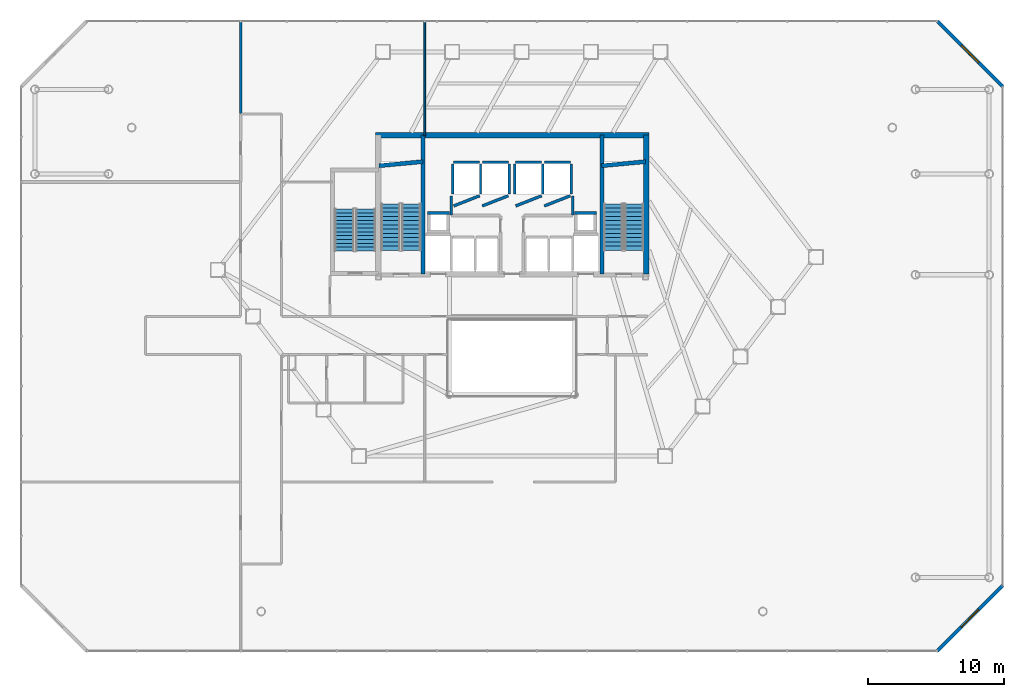
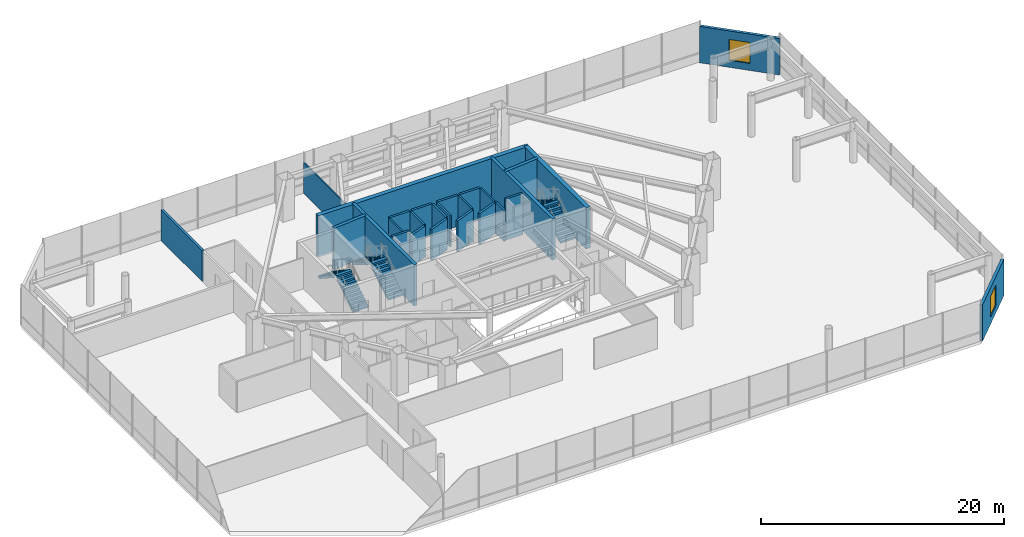
# One storey, part 36 of 37: 28 walls, 6 stair flights, 2 windows, 2 openings, 3 elements without a shape of their own.
"""IFC4 building model written with IfcOpenShell, lengths in metres."""

import ifcopenshell
import ifcopenshell.guid

model = None  # the IFC model being written
_history = None  # IfcOwnerHistory: only IFC2X3 demands one
_inside = {}  # id of a spatial element -> (the spatial element, [elements in it])
_under = {}  # id of a project, library or spatial element -> (it, [spatial elements below it])
_declared = {}  # id of a project -> (the project, [libraries it declares])
_typed = {}  # id of a type object -> (the type object, [elements of that type])
_made_of = {}  # id of a material, layer set ... -> (it, [elements and type objects made of it])


def new_model(schema):
    """Start an empty IFC model of exactly this schema.

    Asked for "IFC4X3", IfcOpenShell would pick the latest addendum, in which some entities
    have other attributes; the version numbers below select the first issue.
    IFC2X3 requires an IfcOwnerHistory on every rooted entity: one is made here for all.
    """
    global model, _history
    if schema == "IFC4X3":
        model = ifcopenshell.file(schema_version=(4, 3, 0, 0))
    else:
        model = ifcopenshell.file(schema=schema)
    _inside.clear()
    _under.clear()
    _declared.clear()
    _typed.clear()
    _made_of.clear()
    _history = None
    if model.schema == "IFC2X3":
        org = make("IfcOrganization", Name="unknown")
        user = make(
            "IfcPersonAndOrganization",
            ThePerson=make("IfcPerson", FamilyName="unknown"),
            TheOrganization=org,
        )
        app = make(
            "IfcApplication",
            ApplicationDeveloper=org,
            Version="unknown",
            ApplicationFullName="unknown",
            ApplicationIdentifier="unknown",
        )
        _history = make(
            "IfcOwnerHistory",
            OwningUser=user,
            OwningApplication=app,
            ChangeAction="ADDED",
            CreationDate=0,
        )
    return model


def make(cls, **values):
    """One entity of the class cls with the attributes given. An attribute that is None is left unset."""
    return model.create_entity(
        cls, **{name: value for name, value in values.items() if value is not None}
    )


def rooted(cls, **values):
    """An entity with a GlobalId (a new one), such as an element, a storey or a relation."""
    return make(cls, GlobalId=ifcopenshell.guid.new(), OwnerHistory=_history, **values)


def si_unit(unit_type, name, prefix=None):
    """IfcSIUnit, for example si_unit("LENGTHUNIT", "METRE", prefix="MILLI")."""
    return make("IfcSIUnit", UnitType=unit_type, Prefix=prefix, Name=name)


def assignment(units):
    """IfcUnitAssignment: the units of a project."""
    return None if units is None else make("IfcUnitAssignment", Units=units)


def point(xyz):
    """IfcCartesianPoint."""
    return None if xyz is None else make("IfcCartesianPoint", Coordinates=xyz)


def direction(xyz):
    """IfcDirection."""
    return None if xyz is None else make("IfcDirection", DirectionRatios=xyz)


def frame(location, z_axis=None, x_axis=None):
    """IfcAxis2Placement3D, a coordinate frame: its origin and axes. An axis left out is left unset."""
    return make(
        "IfcAxis2Placement3D",
        Location=point(location),
        Axis=direction(z_axis),
        RefDirection=direction(x_axis),
    )


def frame_2d(location, x_axis=None):
    """IfcAxis2Placement2D, a coordinate frame in the plane: its origin and x axis."""
    return make(
        "IfcAxis2Placement2D", Location=point(location), RefDirection=direction(x_axis)
    )


def origin():
    """The frame at (0, 0, 0) with its axes left unset."""
    return frame((0.0, 0.0, 0.0))


def place(relative_to, where):
    """IfcLocalPlacement: puts the frame where relative to a parent placement (None: the world)."""
    return make(
        "IfcLocalPlacement", PlacementRelTo=relative_to, RelativePlacement=where
    )


def context(
    kind, dimensions, precision=None, world=None, true_north=None, identifier=None
):
    """IfcGeometricRepresentationContext, for example the 3D "Model" context."""
    return make(
        "IfcGeometricRepresentationContext",
        ContextIdentifier=identifier,
        ContextType=kind,
        CoordinateSpaceDimension=dimensions,
        Precision=precision,
        WorldCoordinateSystem=world,
        TrueNorth=true_north,
    )


def subcontext(parent, identifier, kind, view, scale=None):
    """IfcGeometricRepresentationSubContext, for example "Body" below "Model"."""
    return make(
        "IfcGeometricRepresentationSubContext",
        ContextIdentifier=identifier,
        ContextType=kind,
        ParentContext=parent,
        TargetScale=scale,
        TargetView=view,
    )


def project(units=None, contexts=None):
    """IfcProject with its units and contexts."""
    return rooted(
        "IfcProject",
        Name="project",
        RepresentationContexts=contexts,
        UnitsInContext=assignment(units),
    )


def spatial(cls, under=None, at=None, **own):
    """A site, building, storey or space (cls), placed at a placement, below another one or the project."""
    s = rooted(cls, ObjectPlacement=at, **own)
    if under is not None:
        _under.setdefault(under.id(), (under, []))[1].append(s)
    return s


def polyline(points):
    """IfcPolyline through the points."""
    return make("IfcPolyline", Points=[point(p) for p in points])


def profile(cls, at=None, kind="AREA", **sizes):
    """A parametric profile (cls). Its sizes go by their IFC names, for example OverallWidth=200.0."""
    return make(cls, ProfileType=kind, Position=at, **sizes)


def rectangle(**sizes):
    """IfcRectangleProfileDef."""
    return profile("IfcRectangleProfileDef", **sizes)


def outline(outer, holes=None, kind="AREA"):
    """IfcArbitraryClosedProfileDef: a profile drawn as a closed curve; with holes, ...WithVoids."""
    if holes is None:
        return make("IfcArbitraryClosedProfileDef", ProfileType=kind, OuterCurve=outer)
    return make(
        "IfcArbitraryProfileDefWithVoids",
        ProfileType=kind,
        OuterCurve=outer,
        InnerCurves=holes,
    )


def extrude(swept, where, along, depth):
    """IfcExtrudedAreaSolid: the profile swept, set in the frame where, extruded along a direction by depth."""
    return make(
        "IfcExtrudedAreaSolid",
        SweptArea=swept,
        Position=where,
        ExtrudedDirection=direction(along),
        Depth=depth,
    )


def shape(context_of_items, identifier, shape_type, items):
    """IfcShapeRepresentation: the items that make up one representation, for example the "Body"."""
    return make(
        "IfcShapeRepresentation",
        ContextOfItems=context_of_items,
        RepresentationIdentifier=identifier,
        RepresentationType=shape_type,
        Items=items,
    )


def material(Name=None, Category=None):
    """IfcMaterial."""
    return make("IfcMaterial", Name=Name, Category=Category)


def layer(
    of_material, thickness, ventilated=None, Name=None, Category=None, Priority=None
):
    """IfcMaterialLayer: one layer of a wall or slab, of a material (None: an air gap)."""
    return make(
        "IfcMaterialLayer",
        Material=of_material,
        LayerThickness=thickness,
        IsVentilated=ventilated,
        Name=Name,
        Category=Category,
        Priority=Priority,
    )


def layer_set(layers, Name=None):
    """IfcMaterialLayerSet."""
    return make("IfcMaterialLayerSet", MaterialLayers=layers, LayerSetName=Name)


def made_of(thing, what):
    """Note that an element or type object is made of a material, layer set ...; save() writes the relation."""
    if what is not None:
        _made_of.setdefault(what.id(), (what, []))[1].append(thing)
    return thing


def type_object(cls, material=None, **own):
    """A type object (cls), such as IfcWallType, which elements share."""
    return made_of(rooted(cls, **own), material)


def element(
    cls,
    number,
    at=None,
    inside=None,
    cuts=None,
    type_object=None,
    material=None,
    context=None,
    identifier="Body",
    shape_type=None,
    held_by="IfcProductDefinitionShape",
    body=None,
    shapes=None,
    **own,
):
    """One element of the class cls, such as IfcWall. Its Tag is "e" and its number.

    at: its placement. inside: the storey or other place that contains it. cuts: it is an
    opening in that element (IfcRelVoidsElement). A single representation is given by context,
    identifier, shape_type and body (its items); several are given by shapes. held_by: the class
    of the entity that holds the representations. save() writes the other relations.
    """
    e = rooted(cls, Tag="e%d" % number, ObjectPlacement=at, **own)
    if body is not None:
        shapes = [shape(context, identifier, shape_type, body)]
    if shapes is not None:
        e.Representation = make(held_by, Representations=shapes)
    if inside is not None:
        _inside.setdefault(inside.id(), (inside, []))[1].append(e)
    if cuts is not None:
        rooted(
            "IfcRelVoidsElement", RelatingBuildingElement=cuts, RelatedOpeningElement=e
        )
    if type_object is not None:
        _typed.setdefault(type_object.id(), (type_object, []))[1].append(e)
    return made_of(e, material)


def fill(opening, filler):
    """IfcRelFillsElement: the door or window that sits in an opening."""
    return rooted(
        "IfcRelFillsElement",
        RelatingOpeningElement=opening,
        RelatedBuildingElement=filler,
    )


def aggregate(whole, parts):
    """IfcRelAggregates: a whole, such as a stair, and the parts it consists of."""
    return rooted("IfcRelAggregates", RelatingObject=whole, RelatedObjects=parts)


def save(model, path):
    """Write the relations noted so far, then the file.

    IfcRelAggregates (storeys below a building ...), IfcRelContainedInSpatialStructure (elements
    in a storey), IfcRelDefinesByType, IfcRelAssociatesMaterial and IfcRelDeclares: one each for
    every whole, place, type object, material and project.
    """
    for whole, parts in _under.values():
        aggregate(whole, parts)
    for where, things in _inside.values():
        rooted(
            "IfcRelContainedInSpatialStructure",
            RelatedElements=things,
            RelatingStructure=where,
        )
    for kind, things in _typed.values():
        rooted("IfcRelDefinesByType", RelatedObjects=things, RelatingType=kind)
    for what, things in _made_of.values():
        rooted("IfcRelAssociatesMaterial", RelatedObjects=things, RelatingMaterial=what)
    for by, libraries in _declared.values():
        rooted("IfcRelDeclares", RelatingContext=by, RelatedDefinitions=libraries)
    model.write(path)


model = new_model("IFC4")

# Units and contexts
model_context = context("Model", 3, precision=1e-05, world=origin(), true_north=direction((0.0, 1.0)))
body_context = subcontext(model_context, "Body", "Model", "MODEL_VIEW")
ifc_project = project(units=[si_unit("LENGTHUNIT", "METRE"), si_unit("AREAUNIT", "SQUARE_METRE"), si_unit("VOLUMEUNIT", "CUBIC_METRE"), si_unit("PLANEANGLEUNIT", "RADIAN"), si_unit("MASSUNIT", "GRAM", prefix="KILO")], contexts=[model_context])

# Site, building, storey
site_placement = place(None, origin())
site = spatial("IfcSite", under=ifc_project, at=site_placement, CompositionType="ELEMENT")
building_placement = place(site_placement, origin())
building = spatial("IfcBuilding", under=site, at=building_placement, Name="Zarrinselat Tower", CompositionType="ELEMENT")
storey_placement = place(building_placement, frame((0.0, 0.0, 9.52001953125)))
storey = spatial("IfcBuildingStorey", under=building, at=storey_placement, Name="L02", CompositionType="ELEMENT", Elevation=9.52001953125)

# Wall, opening, window
ifc_material_1 = material(Name="Honed Cream Travertine Stone", Category="masonry")
ifc_layer_1 = layer(ifc_material_1, 0.260009765625)
ifc_layer_set_1 = layer_set([ifc_layer_1], Name="Honed Cream Travertine Stone")
wall_type_1 = type_object("IfcWallType", Name="WAL-EXT-STONE-260", PredefinedType="STANDARD", material=ifc_layer_set_1)
wall_1_placement = place(storey_placement, frame((69.60009765625, 5.60009765625, 0.0), z_axis=(0.0, 0.0, 1.0), x_axis=(0.707106781187, 0.707106781187, 0.0)))
wall_1 = element("IfcWall", 1, at=wall_1_placement, inside=storey, type_object=wall_type_1, Name="L02 Chamfered Stone Corner Wall 1", PredefinedType="STANDARD", context=body_context, shape_type="SweptSolid", body=[
    extrude(rectangle(XDim=6.787841796875, YDim=0.260009765625, at=frame_2d((3.39404296875, 0.0))), origin(), (0.0, 0.0, 1.0), 3.64990234375),
])
opening_1_placement = place(wall_1_placement, frame((2.494140625, 0.0, 0.699951171875)))
opening_1 = element("IfcOpeningElement", 2, at=opening_1_placement, cuts=wall_1, Name="Opening WN-2", PredefinedType="OPENING", context=body_context, shape_type="SweptSolid", body=[
    extrude(rectangle(XDim=1.800048828125, YDim=2.10009765625, at=frame_2d((0.89990234375, 1.050048828125))), frame((0.0, 0.139892578125, 0.0), z_axis=(0.0, -1.0, 0.0), x_axis=(1.0, 0.0, 0.0)), (0.0, 0.0, 1.0), 0.280029296875),
])
ifc_material_2 = material(Name="Double Low-E Laminated Solar Glass", Category="glass")
window_type = type_object("IfcWindowType", Name="WIN-GALLERY-1800", PartitioningType="SINGLE_PANEL", PredefinedType="WINDOW", material=ifc_material_2)
window_1_placement = place(opening_1_placement, origin())
window_1 = element("IfcWindow", 3, at=window_1_placement, inside=storey, type_object=window_type, Name="L02 Corner Gallery Window 1", OverallHeight=2.10009765625, OverallWidth=1.800048828125, PartitioningType="SINGLE_PANEL", PredefinedType="WINDOW", context=body_context, shape_type="SweptSolid", body=[
    extrude(rectangle(XDim=1.800048828125, YDim=2.10009765625, at=frame_2d((0.89990234375, 1.050048828125))), frame((0.0, 0.030029296875, 0.0), z_axis=(0.0, -1.0, 0.0), x_axis=(1.0, 0.0, 0.0)), (0.0, 0.0, 1.0), 0.06005859375),
])
fill(opening_1, window_1)

wall_2_placement = place(storey_placement, frame((69.60009765625, 51.800048828125, 0.0), z_axis=(0.0, 0.0, 1.0), x_axis=(0.707088798028, -0.707124763888, 0.0)))
wall_2 = element("IfcWall", 4, at=wall_2_placement, inside=storey, type_object=wall_type_1, Name="L02 Chamfered Stone Corner Wall 3", PredefinedType="STANDARD", context=body_context, shape_type="SweptSolid", body=[
    extrude(rectangle(XDim=6.7880859375, YDim=0.260009765625, at=frame_2d((3.39404296875, 0.0))), origin(), (0.0, 0.0, 1.0), 3.64990234375),
])
opening_2_placement = place(wall_2_placement, frame((2.494140625, 0.0, 0.699951171875)))
opening_2 = element("IfcOpeningElement", 5, at=opening_2_placement, cuts=wall_2, Name="Opening WN-2", PredefinedType="OPENING", context=body_context, shape_type="SweptSolid", body=[
    extrude(rectangle(XDim=1.800048828125, YDim=2.10009765625, at=frame_2d((0.89990234375, 1.050048828125))), frame((0.0, 0.139892578125, 0.0), z_axis=(0.0, -1.0, 0.0), x_axis=(1.0, 0.0, 0.0)), (0.0, 0.0, 1.0), 0.280029296875),
])
window_2_placement = place(opening_2_placement, origin())
window_2 = element("IfcWindow", 6, at=window_2_placement, inside=storey, type_object=window_type, Name="L02 Corner Gallery Window 3", OverallHeight=2.10009765625, OverallWidth=1.800048828125, PartitioningType="SINGLE_PANEL", PredefinedType="WINDOW", context=body_context, shape_type="SweptSolid", body=[
    extrude(rectangle(XDim=1.800048828125, YDim=2.10009765625, at=frame_2d((0.89990234375, 1.050048828125))), frame((0.0, 0.030029296875, 0.0), z_axis=(0.0, -1.0, 0.0), x_axis=(1.0, 0.0, 0.0)), (0.0, 0.0, 1.0), 0.06005859375),
])
fill(opening_2, window_2)

# Walls
ifc_material_3 = material(Name="Concrete C40/50", Category="concrete")
ifc_layer_2 = layer(ifc_material_3, 0.199951171875)
ifc_layer_set_2 = layer_set([ifc_layer_2], Name="Concrete C40/50")
wall_type_2 = type_object("IfcWallType", Name="WAL-PART-PLANT", PredefinedType="PARTITIONING", material=ifc_layer_set_2)
for number, where, z_axis, x_axis, name in (
    (7, (33.949951171875, 37.570068359375, 0.0), (0.0, 0.0, 1.0), (0.0, 1.0, 0.0), "L02 Partition Wall 3"),
    (8, (42.85009765625, 37.570068359375, 0.0), (0.0, 0.0, 1.0), (0.0, 1.0, 0.0), "L02 Partition Wall 4"),
):
    element("IfcWall", number, at=place(storey_placement, frame(where, z_axis=z_axis, x_axis=x_axis)), inside=storey, type_object=wall_type_2, Name=name, PredefinedType="PARTITIONING", context=body_context, shape_type="SweptSolid", body=[
        extrude(rectangle(XDim=1.4150390625, YDim=0.199951171875, at=frame_2d((0.70751953125, 0.0))), origin(), (0.0, 0.0, 1.0), 3.096923828125),
    ])
wall_3_placement = place(storey_placement, frame((18.5, 45.02001953125, 0.0), z_axis=(0.0, 0.0, 1.0), x_axis=(0.0, 1.0, 0.0)))
element("IfcWall", 9, at=wall_3_placement, inside=storey, type_object=wall_type_2, Name="L02 Partition Wall 53", PredefinedType="PARTITIONING", context=body_context, shape_type="SweptSolid", body=[
    extrude(rectangle(XDim=6.764892578125, YDim=0.199951171875, at=frame_2d((3.38232421875, 0.0))), origin(), (0.0, 0.0, 1.0), 3.096923828125),
])
ifc_material_4 = material(Name="Fire-Rated Gypsum Board Partition", Category="gypsum")
ifc_layer_3 = layer(ifc_material_4, 0.1201171875)
ifc_layer_set_3 = layer_set([ifc_layer_3], Name="Fire-Rated Gypsum Board Partition")
wall_type_3 = type_object("IfcWallType", Name="WAL-PART-STD", PredefinedType="PARTITIONING", material=ifc_layer_set_3)
wall_4_placement = place(storey_placement, frame((32.0, 43.4150390625, 0.0), z_axis=(0.0, 0.0, 1.0), x_axis=(0.0, 1.0, 0.0)))
element("IfcWall", 10, at=wall_4_placement, inside=storey, type_object=wall_type_3, Name="L02 Partition Wall 48", PredefinedType="PARTITIONING", context=body_context, shape_type="SweptSolid", body=[
    extrude(rectangle(XDim=8.369873046875, YDim=0.1201171875, at=frame_2d((4.18505859375, 0.0))), origin(), (0.0, 0.0, 1.0), 3.096923828125),
])
ifc_material_5 = material(Name="Concrete C40/50", Category="concrete")
ifc_layer_4 = layer(ifc_material_5, 0.2099609375)
ifc_layer_set_4 = layer_set([ifc_layer_4], Name="Concrete C40/50")
wall_type_4 = type_object("IfcWallType", Name="WAL-SHAFT-210", PredefinedType="SOLIDWALL", material=ifc_layer_set_4)
wall_5_placement = place(storey_placement, frame((34.1201171875, 38.25, 0.0), z_axis=(0.0, 0.0, 1.0), x_axis=(0.930804993012, 0.36551616241, 0.0)))
element("IfcWall", 11, at=wall_5_placement, inside=storey, type_object=wall_type_4, Name="L02 Lift PL1 Front Shaft Wall", PredefinedType="SOLIDWALL", context=body_context, shape_type="SweptSolid", body=[
    extrude(rectangle(XDim=2.052001953125, YDim=0.2099609375, at=frame_2d((1.02587890625, 0.0))), origin(), (0.0, 0.0, 1.0), 3.112060546875),
])
wall_6_placement = place(storey_placement, frame((34.1201171875, 41.455078125, 0.0), z_axis=(0.0, 0.0, 1.0), x_axis=(1.0, 0.0, 0.0)))
element("IfcWall", 12, at=wall_6_placement, inside=storey, type_object=wall_type_4, Name="L02 Lift PL1 Rear Shaft Wall", PredefinedType="SOLIDWALL", context=body_context, shape_type="SweptSolid", body=[
    extrude(rectangle(XDim=1.909912109375, YDim=0.2099609375, at=frame_2d((0.955078125, 0.0))), origin(), (0.0, 0.0, 1.0), 3.112060546875),
])
for number, where, z_axis, x_axis, name in (
    (13, (34.050048828125, 39.1201171875, 0.0), (0.0, 0.0, 1.0), (0.0, 1.0, 0.0), "L02 Lift PL1 W Shaft Wall"),
    (14, (36.10009765625, 39.1201171875, 0.0), (0.0, 0.0, 1.0), (0.0, 1.0, 0.0), "L02 Lift PL1 E Shaft Wall"),
):
    element("IfcWall", number, at=place(storey_placement, frame(where, z_axis=z_axis, x_axis=x_axis)), inside=storey, type_object=wall_type_4, Name=name, PredefinedType="SOLIDWALL", context=body_context, shape_type="SweptSolid", body=[
        extrude(rectangle(XDim=2.2099609375, YDim=0.159912109375, at=frame_2d((1.10498046875, 0.0))), origin(), (0.0, 0.0, 1.0), 3.112060546875),
    ])
wall_7_placement = place(storey_placement, frame((36.219970703125, 38.25, 0.0), z_axis=(0.0, 0.0, 1.0), x_axis=(0.930804993012, 0.36551616241, 0.0)))
element("IfcWall", 15, at=wall_7_placement, inside=storey, type_object=wall_type_4, Name="L02 Lift PL2 Front Shaft Wall", PredefinedType="SOLIDWALL", context=body_context, shape_type="SweptSolid", body=[
    extrude(rectangle(XDim=2.052001953125, YDim=0.2099609375, at=frame_2d((1.02587890625, 0.0))), origin(), (0.0, 0.0, 1.0), 3.112060546875),
])
wall_8_placement = place(storey_placement, frame((36.219970703125, 41.455078125, 0.0), z_axis=(0.0, 0.0, 1.0), x_axis=(1.0, 0.0, 0.0)))
element("IfcWall", 16, at=wall_8_placement, inside=storey, type_object=wall_type_4, Name="L02 Lift PL2 Rear Shaft Wall", PredefinedType="SOLIDWALL", context=body_context, shape_type="SweptSolid", body=[
    extrude(rectangle(XDim=1.909912109375, YDim=0.2099609375, at=frame_2d((0.955078125, 0.0))), origin(), (0.0, 0.0, 1.0), 3.112060546875),
])
wall_9_placement = place(storey_placement, frame((38.199951171875, 39.1201171875, 0.0), z_axis=(0.0, 0.0, 1.0), x_axis=(0.0, 1.0, 0.0)))
element("IfcWall", 17, at=wall_9_placement, inside=storey, type_object=wall_type_4, Name="L02 Lift PL2 E Shaft Wall", PredefinedType="SOLIDWALL", context=body_context, shape_type="SweptSolid", body=[
    extrude(rectangle(XDim=2.2099609375, YDim=0.159912109375, at=frame_2d((1.10498046875, 0.0))), origin(), (0.0, 0.0, 1.0), 3.112060546875),
])
wall_10_placement = place(storey_placement, frame((38.669921875, 38.25, 0.0), z_axis=(0.0, 0.0, 1.0), x_axis=(0.930820886763, 0.3654756856, 0.0)))
element("IfcWall", 18, at=wall_10_placement, inside=storey, type_object=wall_type_4, Name="L02 Lift PL3 Front Shaft Wall", PredefinedType="SOLIDWALL", context=body_context, shape_type="SweptSolid", body=[
    extrude(rectangle(XDim=2.052001953125, YDim=0.2099609375, at=frame_2d((1.02587890625, 0.0))), origin(), (0.0, 0.0, 1.0), 3.112060546875),
])
wall_11_placement = place(storey_placement, frame((38.669921875, 41.455078125, 0.0), z_axis=(0.0, 0.0, 1.0), x_axis=(1.0, 0.0, 0.0)))
element("IfcWall", 19, at=wall_11_placement, inside=storey, type_object=wall_type_4, Name="L02 Lift PL3 Rear Shaft Wall", PredefinedType="SOLIDWALL", context=body_context, shape_type="SweptSolid", body=[
    extrude(rectangle(XDim=1.91015625, YDim=0.2099609375, at=frame_2d((0.955078125, 0.0))), origin(), (0.0, 0.0, 1.0), 3.112060546875),
])
for number, where, z_axis, x_axis, name in (
    (20, (38.60009765625, 39.1201171875, 0.0), (0.0, 0.0, 1.0), (0.0, 1.0, 0.0), "L02 Lift PL3 W Shaft Wall"),
    (21, (40.64990234375, 39.1201171875, 0.0), (0.0, 0.0, 1.0), (0.0, 1.0, 0.0), "L02 Lift PL3 E Shaft Wall"),
):
    element("IfcWall", number, at=place(storey_placement, frame(where, z_axis=z_axis, x_axis=x_axis)), inside=storey, type_object=wall_type_4, Name=name, PredefinedType="SOLIDWALL", context=body_context, shape_type="SweptSolid", body=[
        extrude(rectangle(XDim=2.2099609375, YDim=0.159912109375, at=frame_2d((1.10498046875, 0.0))), origin(), (0.0, 0.0, 1.0), 3.112060546875),
    ])
wall_12_placement = place(storey_placement, frame((40.77001953125, 38.25, 0.0), z_axis=(0.0, 0.0, 1.0), x_axis=(0.930804993012, 0.36551616241, 0.0)))
element("IfcWall", 22, at=wall_12_placement, inside=storey, type_object=wall_type_4, Name="L02 Lift PL4 Front Shaft Wall", PredefinedType="SOLIDWALL", context=body_context, shape_type="SweptSolid", body=[
    extrude(rectangle(XDim=2.052001953125, YDim=0.2099609375, at=frame_2d((1.02587890625, 0.0))), origin(), (0.0, 0.0, 1.0), 3.112060546875),
])
wall_13_placement = place(storey_placement, frame((40.77001953125, 41.455078125, 0.0), z_axis=(0.0, 0.0, 1.0), x_axis=(1.0, 0.0, 0.0)))
element("IfcWall", 23, at=wall_13_placement, inside=storey, type_object=wall_type_4, Name="L02 Lift PL4 Rear Shaft Wall", PredefinedType="SOLIDWALL", context=body_context, shape_type="SweptSolid", body=[
    extrude(rectangle(XDim=1.909912109375, YDim=0.2099609375, at=frame_2d((0.955078125, 0.0))), origin(), (0.0, 0.0, 1.0), 3.112060546875),
])
wall_14_placement = place(storey_placement, frame((42.75, 39.1201171875, 0.0), z_axis=(0.0, 0.0, 1.0), x_axis=(0.0, 1.0, 0.0)))
element("IfcWall", 24, at=wall_14_placement, inside=storey, type_object=wall_type_4, Name="L02 Lift PL4 E Shaft Wall", PredefinedType="SOLIDWALL", context=body_context, shape_type="SweptSolid", body=[
    extrude(rectangle(XDim=2.2099609375, YDim=0.159912109375, at=frame_2d((1.10498046875, 0.0))), origin(), (0.0, 0.0, 1.0), 3.112060546875),
])
for number, where, z_axis, x_axis, name in (
    (25, (32.2099609375, 37.7451171875, 0.0), (0.0, 0.0, 1.0), (1.0, 0.0, 0.0), "L02 Core Riser RSR-W N Shaft Wall"),
    (26, (42.989990234375, 37.7451171875, 0.0), (0.0, 0.0, 1.0), (1.0, 0.0, 0.0), "L02 Core Riser RSR-E N Shaft Wall"),
):
    element("IfcWall", number, at=place(storey_placement, frame(where, z_axis=z_axis, x_axis=x_axis)), inside=storey, type_object=wall_type_4, Name=name, PredefinedType="SOLIDWALL", context=body_context, shape_type="SweptSolid", body=[
        extrude(rectangle(XDim=1.60009765625, YDim=0.2099609375, at=frame_2d((0.800048828125, 0.0))), origin(), (0.0, 0.0, 1.0), 4.139892578125),
    ])
ifc_material_6 = material(Name="Concrete C40/50", Category="concrete")
ifc_layer_5 = layer(ifc_material_6, 0.300048828125)
ifc_layer_set_5 = layer_set([ifc_layer_5], Name="Concrete C40/50")
wall_type_5 = type_object("IfcWallType", Name="WAL-SHEAR-300", PredefinedType="SHEAR", material=ifc_layer_set_5)
for number, where, z_axis, x_axis, name in (
    (27, (31.8701171875, 33.25, 0.0), (0.0, 0.0, 1.0), (0.0, 1.0, 0.0), "L02 Core Shear Wall ST1E"),
    (28, (44.989990234375, 33.25, 0.0), (0.0, 0.0, 1.0), (0.0, 1.0, 0.0), "L02 Core Shear Wall ST2W"),
):
    element("IfcWall", number, at=place(storey_placement, frame(where, z_axis=z_axis, x_axis=x_axis)), inside=storey, type_object=wall_type_5, Name=name, PredefinedType="SHEAR", context=body_context, shape_type="SweptSolid", body=[
        extrude(rectangle(XDim=10.199951171875, YDim=0.300048828125, at=frame_2d((5.10009765625, 0.0))), origin(), (0.0, 0.0, 1.0), 4.139892578125),
    ])
wall_15_placement = place(storey_placement, frame((28.639892578125, 41.199951171875, 0.0), z_axis=(0.0, 0.0, 1.0), x_axis=(0.995687118776, 0.092774789157, 0.0)))
element("IfcWall", 29, at=wall_15_placement, inside=storey, type_object=wall_type_5, Name="L02 Stair 1 North Shaft Wall", PredefinedType="SHEAR", context=body_context, shape_type="SweptSolid", body=[
    extrude(rectangle(XDim=3.234130859375, YDim=0.300048828125, at=frame_2d((1.6171875, 0.0))), origin(), (0.0, 0.0, 1.0), 4.139892578125),
])
wall_16_placement = place(storey_placement, frame((44.97998046875, 41.199951171875, 0.0), z_axis=(0.0, 0.0, 1.0), x_axis=(0.995686468965, 0.09278176286, 0.0)))
element("IfcWall", 30, at=wall_16_placement, inside=storey, type_object=wall_type_5, Name="L02 Stair 2 North Shaft Wall", PredefinedType="SHEAR", context=body_context, shape_type="SweptSolid", body=[
    extrude(rectangle(XDim=3.23388671875, YDim=0.300048828125, at=frame_2d((1.616943359375, 0.0))), origin(), (0.0, 0.0, 1.0), 4.139892578125),
])
ifc_material_7 = material(Name="Concrete C60/75", Category="concrete")
ifc_layer_6 = layer(ifc_material_7, 0.39990234375)
ifc_layer_set_6 = layer_set([ifc_layer_6], Name="Concrete C60/75")
wall_type_6 = type_object("IfcWallType", Name="WAL-SHEAR-400", PredefinedType="SHEAR", material=ifc_layer_set_6)
wall_17_placement = place(storey_placement, frame((28.39990234375, 43.449951171875, 0.0), z_axis=(0.0, 0.0, 1.0), x_axis=(1.0, 0.0, 0.0)))
element("IfcWall", 31, at=wall_17_placement, inside=storey, type_object=wall_type_6, Name="L02 North Core Shear Wall", PredefinedType="SHEAR", context=body_context, shape_type="SweptSolid", body=[
    extrude(rectangle(XDim=20.06005859375, YDim=0.39990234375, at=frame_2d((10.030029296875, 0.0))), origin(), (0.0, 0.0, 1.0), 4.139892578125),
])
wall_18_placement = place(storey_placement, frame((48.260009765625, 33.25, 0.0), z_axis=(0.0, 0.0, 1.0), x_axis=(0.0, 1.0, 0.0)))
element("IfcWall", 32, at=wall_18_placement, inside=storey, type_object=wall_type_6, Name="L02 Core Shear Wall E", PredefinedType="SHEAR", context=body_context, shape_type="SweptSolid", body=[
    extrude(rectangle(XDim=10.199951171875, YDim=0.39990234375, at=frame_2d((5.10009765625, 0.0))), origin(), (0.0, 0.0, 1.0), 4.139892578125),
])

# Stair, stair flights
ifc_material_8 = material(Name="Concrete C40/50", Category="concrete")
stair_type_1 = type_object("IfcStairType", Name="STR-CORE-145", PredefinedType="HALF_TURN_STAIR", material=ifc_material_8)
stair_1_placement = place(storey_placement, origin())
stair_1 = element("IfcStair", 33, at=stair_1_placement, inside=storey, type_object=stair_type_1, Name="L02 Podium & Mid-Tower Exit Stair 3", PredefinedType="HALF_TURN_STAIR")
ifc_material_9 = material(Name="Concrete C40/50", Category="concrete")
stair_flight_type_1 = type_object("IfcStairFlightType", Name="STR-FLT-145", PredefinedType="STRAIGHT", material=ifc_material_9)
stair_flight_1_placement = place(storey_placement, frame((27.675048828125, 34.949951171875, 0.0), z_axis=(0.0, 0.0, 1.0), x_axis=(0.0, 1.0, 0.0)))
stair_flight_1 = element("IfcStairFlight", 34, at=stair_flight_1_placement, type_object=stair_flight_type_1, Name="ST-3 flight 1", NumberOfRisers=12, NumberOfTreads=11, PredefinedType="STRAIGHT", RiserHeight=0.184166667, TreadLength=0.28, context=body_context, shape_type="SweptSolid", body=[
    extrude(outline(polyline([(0.0, 0.0), (0.0, 0.18408203125), (0.280029296875, 0.18408203125), (0.280029296875, 0.368408203125), (0.56005859375, 0.368408203125), (0.56005859375, 0.552490234375), (0.840087890625, 0.552490234375), (0.840087890625, 0.736572265625), (1.1201171875, 0.736572265625), (1.1201171875, 0.9208984375), (1.39990234375, 0.9208984375), (1.39990234375, 1.10498046875), (1.679931640625, 1.10498046875), (1.679931640625, 1.2890625), (1.9599609375, 1.2890625), (1.9599609375, 1.473388671875), (2.239990234375, 1.473388671875), (2.239990234375, 1.657470703125), (2.52001953125, 1.657470703125), (2.52001953125, 1.841552734375), (2.800048828125, 1.841552734375), (2.800048828125, 2.02587890625), (3.080078125, 2.02587890625), (3.080078125, 2.2099609375), (3.080078125, 1.846435546875), (0.272705078125, 0.0), (0.0, 0.0)])), frame((0.0, 0.72509765625, 0.0), z_axis=(0.0, -1.0, 0.0), x_axis=(1.0, 0.0, 0.0)), (0.0, 0.0, 1.0), 1.449951171875),
])
stair_flight_2_placement = place(storey_placement, frame((26.10498046875, 38.030029296875, 2.2099609375), z_axis=(0.0, 0.0, 1.0), x_axis=(0.0, -1.0, 0.0)))
stair_flight_2 = element("IfcStairFlight", 35, at=stair_flight_2_placement, type_object=stair_flight_type_1, Name="ST-3 flight 2", NumberOfRisers=12, NumberOfTreads=11, PredefinedType="STRAIGHT", RiserHeight=0.184166667, TreadLength=0.28, context=body_context, shape_type="SweptSolid", body=[
    extrude(outline(polyline([(0.0, 0.0), (0.0, 0.18408203125), (0.280029296875, 0.18408203125), (0.280029296875, 0.368408203125), (0.56005859375, 0.368408203125), (0.56005859375, 0.552490234375), (0.840087890625, 0.552490234375), (0.840087890625, 0.736572265625), (1.1201171875, 0.736572265625), (1.1201171875, 0.9208984375), (1.39990234375, 0.9208984375), (1.39990234375, 1.10498046875), (1.679931640625, 1.10498046875), (1.679931640625, 1.2890625), (1.9599609375, 1.2890625), (1.9599609375, 1.473388671875), (2.239990234375, 1.473388671875), (2.239990234375, 1.657470703125), (2.52001953125, 1.657470703125), (2.52001953125, 1.841552734375), (2.800048828125, 1.841552734375), (2.800048828125, 2.02587890625), (3.080078125, 2.02587890625), (3.080078125, 2.2099609375), (3.080078125, 1.846435546875), (0.272705078125, 0.0), (0.0, 0.0)])), frame((0.0, 0.72509765625, 0.0), z_axis=(0.0, -1.0, 0.0), x_axis=(1.0, 0.0, 0.0)), (0.0, 0.0, 1.0), 1.449951171875),
])
aggregate(stair_1, [stair_flight_1, stair_flight_2])

ifc_material_10 = material(Name="Concrete C40/50", Category="concrete")
stair_type_2 = type_object("IfcStairType", Name="STR-CORE-155", PredefinedType="HALF_TURN_STAIR", material=ifc_material_10)
stair_2_placement = place(storey_placement, origin())
stair_2 = element("IfcStair", 36, at=stair_2_placement, inside=storey, type_object=stair_type_2, Name="L02 Core Exit Stair 1", PredefinedType="HALF_TURN_STAIR")
ifc_material_11 = material(Name="Concrete C40/50", Category="concrete")
stair_flight_type_2 = type_object("IfcStairFlightType", Name="STR-FLT-155", PredefinedType="STRAIGHT", material=ifc_material_11)
stair_flight_3_placement = place(storey_placement, frame((31.02001953125, 35.0, 0.0), z_axis=(0.0, 0.0, 1.0), x_axis=(0.0, 1.0, 0.0)))
stair_flight_3 = element("IfcStairFlight", 37, at=stair_flight_3_placement, type_object=stair_flight_type_2, Name="ST-1 flight 1", NumberOfRisers=12, NumberOfTreads=11, PredefinedType="STRAIGHT", RiserHeight=0.184166667, TreadLength=0.31, context=body_context, shape_type="SweptSolid", body=[
    extrude(outline(polyline([(0.0, 0.0), (0.0, 0.18408203125), (0.31005859375, 0.18408203125), (0.31005859375, 0.368408203125), (0.6201171875, 0.368408203125), (0.6201171875, 0.552490234375), (0.929931640625, 0.552490234375), (0.929931640625, 0.736572265625), (1.239990234375, 0.736572265625), (1.239990234375, 0.9208984375), (1.550048828125, 0.9208984375), (1.550048828125, 1.10498046875), (1.860107421875, 1.10498046875), (1.860107421875, 1.2890625), (2.169921875, 1.2890625), (2.169921875, 1.473388671875), (2.47998046875, 1.473388671875), (2.47998046875, 1.657470703125), (2.7900390625, 1.657470703125), (2.7900390625, 1.841552734375), (3.10009765625, 1.841552734375), (3.10009765625, 2.02587890625), (3.409912109375, 2.02587890625), (3.409912109375, 2.2099609375), (3.409912109375, 1.8515625), (0.29345703125, 0.0), (0.0, 0.0)])), frame((0.0, 0.699951171875, 0.0), z_axis=(0.0, -1.0, 0.0), x_axis=(1.0, 0.0, 0.0)), (0.0, 0.0, 1.0), 1.39990234375),
])
stair_flight_4_placement = place(storey_placement, frame((29.5, 38.409912109375, 2.2099609375), z_axis=(0.0, 0.0, 1.0), x_axis=(0.0, -1.0, 0.0)))
stair_flight_4 = element("IfcStairFlight", 38, at=stair_flight_4_placement, type_object=stair_flight_type_2, Name="ST-1 flight 2", NumberOfRisers=12, NumberOfTreads=11, PredefinedType="STRAIGHT", RiserHeight=0.184166667, TreadLength=0.31, context=body_context, shape_type="SweptSolid", body=[
    extrude(outline(polyline([(0.0, 0.0), (0.0, 0.18408203125), (0.31005859375, 0.18408203125), (0.31005859375, 0.368408203125), (0.6201171875, 0.368408203125), (0.6201171875, 0.552490234375), (0.929931640625, 0.552490234375), (0.929931640625, 0.736572265625), (1.239990234375, 0.736572265625), (1.239990234375, 0.9208984375), (1.550048828125, 0.9208984375), (1.550048828125, 1.10498046875), (1.860107421875, 1.10498046875), (1.860107421875, 1.2890625), (2.169921875, 1.2890625), (2.169921875, 1.473388671875), (2.47998046875, 1.473388671875), (2.47998046875, 1.657470703125), (2.7900390625, 1.657470703125), (2.7900390625, 1.841552734375), (3.10009765625, 1.841552734375), (3.10009765625, 2.02587890625), (3.409912109375, 2.02587890625), (3.409912109375, 2.2099609375), (3.409912109375, 1.8515625), (0.29345703125, 0.0), (0.0, 0.0)])), frame((0.0, 0.699951171875, 0.0), z_axis=(0.0, -1.0, 0.0), x_axis=(1.0, 0.0, 0.0)), (0.0, 0.0, 1.0), 1.39990234375),
])
aggregate(stair_2, [stair_flight_3, stair_flight_4])

stair_3_placement = place(storey_placement, origin())
stair_3 = element("IfcStair", 39, at=stair_3_placement, inside=storey, type_object=stair_type_2, Name="L02 Core Exit Stair 2", PredefinedType="HALF_TURN_STAIR")
stair_flight_5_placement = place(storey_placement, frame((47.360107421875, 35.0, 0.0), z_axis=(0.0, 0.0, 1.0), x_axis=(0.0, 1.0, 0.0)))
stair_flight_5 = element("IfcStairFlight", 40, at=stair_flight_5_placement, type_object=stair_flight_type_2, Name="ST-2 flight 1", NumberOfRisers=12, NumberOfTreads=11, PredefinedType="STRAIGHT", RiserHeight=0.184166667, TreadLength=0.31, context=body_context, shape_type="SweptSolid", body=[
    extrude(outline(polyline([(0.0, 0.0), (0.0, 0.18408203125), (0.31005859375, 0.18408203125), (0.31005859375, 0.368408203125), (0.6201171875, 0.368408203125), (0.6201171875, 0.552490234375), (0.929931640625, 0.552490234375), (0.929931640625, 0.736572265625), (1.239990234375, 0.736572265625), (1.239990234375, 0.9208984375), (1.550048828125, 0.9208984375), (1.550048828125, 1.10498046875), (1.860107421875, 1.10498046875), (1.860107421875, 1.2890625), (2.169921875, 1.2890625), (2.169921875, 1.473388671875), (2.47998046875, 1.473388671875), (2.47998046875, 1.657470703125), (2.7900390625, 1.657470703125), (2.7900390625, 1.841552734375), (3.10009765625, 1.841552734375), (3.10009765625, 2.02587890625), (3.409912109375, 2.02587890625), (3.409912109375, 2.2099609375), (3.409912109375, 1.8515625), (0.29345703125, 0.0), (0.0, 0.0)])), frame((0.0, 0.699951171875, 0.0), z_axis=(0.0, -1.0, 0.0), x_axis=(1.0, 0.0, 0.0)), (0.0, 0.0, 1.0), 1.39990234375),
])
stair_flight_6_placement = place(storey_placement, frame((45.840087890625, 38.409912109375, 2.2099609375), z_axis=(0.0, 0.0, 1.0), x_axis=(0.0, -1.0, 0.0)))
stair_flight_6 = element("IfcStairFlight", 41, at=stair_flight_6_placement, type_object=stair_flight_type_2, Name="ST-2 flight 2", NumberOfRisers=12, NumberOfTreads=11, PredefinedType="STRAIGHT", RiserHeight=0.184166667, TreadLength=0.31, context=body_context, shape_type="SweptSolid", body=[
    extrude(outline(polyline([(0.0, 0.0), (0.0, 0.18408203125), (0.31005859375, 0.18408203125), (0.31005859375, 0.368408203125), (0.6201171875, 0.368408203125), (0.6201171875, 0.552490234375), (0.929931640625, 0.552490234375), (0.929931640625, 0.736572265625), (1.239990234375, 0.736572265625), (1.239990234375, 0.9208984375), (1.550048828125, 0.9208984375), (1.550048828125, 1.10498046875), (1.860107421875, 1.10498046875), (1.860107421875, 1.2890625), (2.169921875, 1.2890625), (2.169921875, 1.473388671875), (2.47998046875, 1.473388671875), (2.47998046875, 1.657470703125), (2.7900390625, 1.657470703125), (2.7900390625, 1.841552734375), (3.10009765625, 1.841552734375), (3.10009765625, 2.02587890625), (3.409912109375, 2.02587890625), (3.409912109375, 2.2099609375), (3.409912109375, 1.8515625), (0.29345703125, 0.0), (0.0, 0.0)])), frame((0.0, 0.699951171875, 0.0), z_axis=(0.0, -1.0, 0.0), x_axis=(1.0, 0.0, 0.0)), (0.0, 0.0, 1.0), 1.39990234375),
])
aggregate(stair_3, [stair_flight_5, stair_flight_6])

save(model, "model.ifc")
